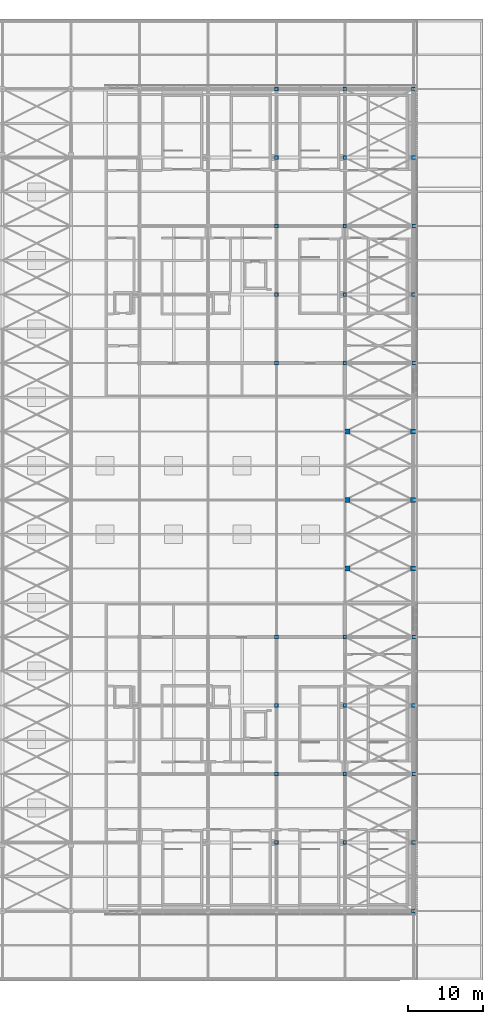
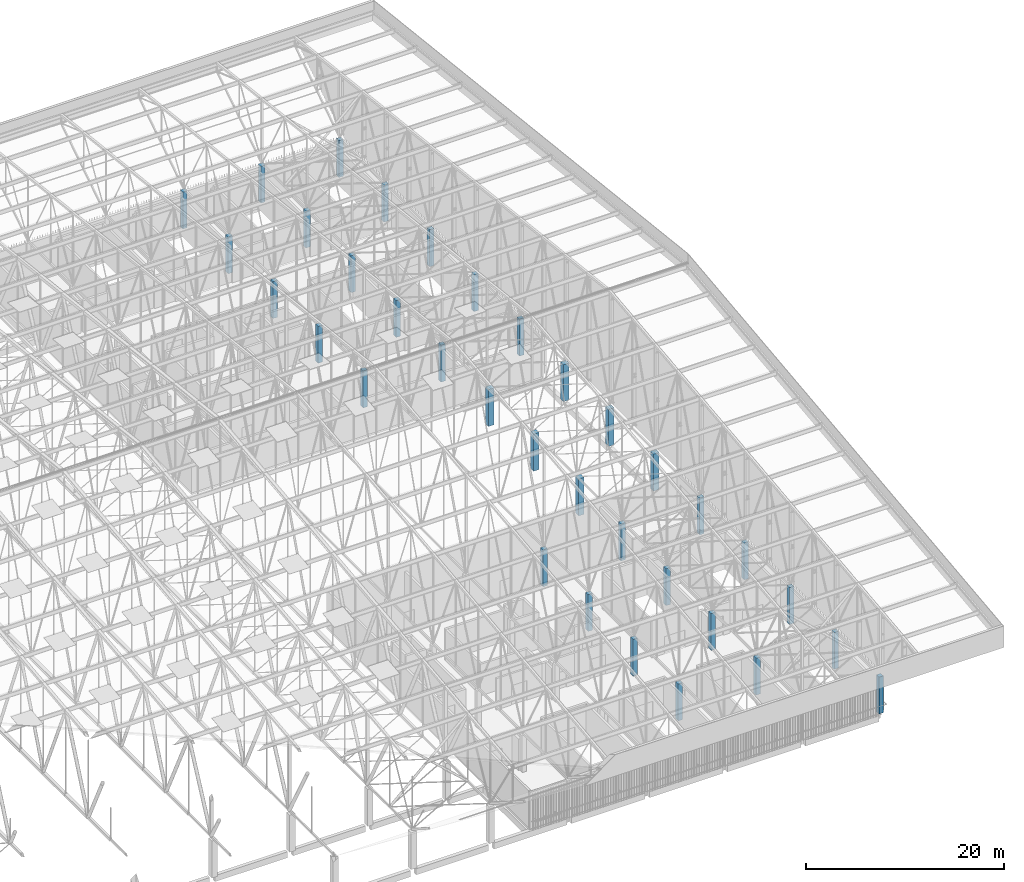
# One storey, part 2 of 500: 34 columns.
"""IFC4 building model written with IfcOpenShell, lengths in metres."""

from ifc_helpers import new_model, si_unit, direction, frame, origin, origin_2d, place, context, subcontext, project, spatial, rectangle, extrude, material, material_profile, profile_set, type_object, element, save


model = new_model("IFC4")

# Units and contexts
model_context = context("Model", 3, precision=1e-05, world=origin(), true_north=direction((0.0, 1.0)))
body_context = subcontext(model_context, "Body", "Model", "MODEL_VIEW")
ifc_project = project(units=[si_unit("LENGTHUNIT", "METRE"), si_unit("AREAUNIT", "SQUARE_METRE"), si_unit("VOLUMEUNIT", "CUBIC_METRE"), si_unit("PLANEANGLEUNIT", "RADIAN"), si_unit("MASSUNIT", "GRAM", prefix="KILO")], contexts=[model_context])

# Site, building, storey
site_placement = place(None, origin())
site = spatial("IfcSite", under=ifc_project, at=site_placement, CompositionType="ELEMENT")
building_placement = place(site_placement, origin())
building = spatial("IfcBuilding", under=site, at=building_placement, Name="Shirokan Park Arena", CompositionType="ELEMENT")
storey_placement = place(building_placement, frame((0.0, 0.0, 29.1201171875)))
storey = spatial("IfcBuildingStorey", under=building, at=storey_placement, Name="L06", CompositionType="ELEMENT", Elevation=29.1201171875)

# Columns
ifc_material = material(Name="Concrete C35", Category="concrete")
ifc_material_profile_1 = material_profile(ifc_material, rectangle(XDim=0.5, YDim=0.5, at=origin_2d()), Name="500x500")
ifc_profile_set_1 = profile_set([ifc_material_profile_1], Name="Concrete C35")
column_type_1 = type_object("IfcColumnType", Name="RC column 500x500", PredefinedType="COLUMN", material=ifc_profile_set_1)
for number, where, z_axis, x_axis, name in (
    (1, (127.39990234375, 9.10009765625, 0.0), (0.0, 0.0, 1.0), (1.0, 0.0, 0.0), "Column 15B L06"),
    (2, (127.39990234375, 18.199951171875, 0.0), (0.0, 0.0, 1.0), (1.0, 0.0, 0.0), "Column 15C L06"),
    (3, (127.39990234375, 27.300048828125, 0.0), (0.0, 0.0, 1.0), (1.0, 0.0, 0.0), "Column 15D L06"),
    (4, (127.39990234375, 36.39990234375, 0.0), (0.0, 0.0, 1.0), (1.0, 0.0, 0.0), "Column 15E L06"),
    (5, (127.39990234375, 72.800048828125, 0.0), (0.0, 0.0, 1.0), (1.0, 0.0, 0.0), "Column 15J L06"),
    (6, (127.39990234375, 81.89990234375, 0.0), (0.0, 0.0, 1.0), (1.0, 0.0, 0.0), "Column 15K L06"),
    (7, (127.39990234375, 91.0, 0.0), (0.0, 0.0, 1.0), (1.0, 0.0, 0.0), "Column 15L L06"),
    (8, (127.39990234375, 100.10009765625, 0.0), (0.0, 0.0, 1.0), (1.0, 0.0, 0.0), "Column 15M L06"),
    (9, (127.39990234375, 109.22509765625, 0.0), (0.0, 0.0, 1.0), (1.0, 0.0, 0.0), "Column 15N L06"),
    (10, (136.5, 9.10009765625, 0.0), (0.0, 0.0, 1.0), (1.0, 0.0, 0.0), "Column 16B L06"),
    (11, (136.5, 18.199951171875, 0.0), (0.0, 0.0, 1.0), (1.0, 0.0, 0.0), "Column 16C L06"),
    (12, (136.5, 27.300048828125, 0.0), (0.0, 0.0, 1.0), (1.0, 0.0, 0.0), "Column 16D L06"),
    (13, (136.5, 36.39990234375, 0.0), (0.0, 0.0, 1.0), (1.0, 0.0, 0.0), "Column 16E L06"),
    (14, (136.5, 72.800048828125, 0.0), (0.0, 0.0, 1.0), (1.0, 0.0, 0.0), "Column 16J L06"),
    (15, (136.5, 81.89990234375, 0.0), (0.0, 0.0, 1.0), (1.0, 0.0, 0.0), "Column 16K L06"),
    (16, (136.5, 91.0, 0.0), (0.0, 0.0, 1.0), (1.0, 0.0, 0.0), "Column 16L L06"),
    (17, (136.5, 100.10009765625, 0.0), (0.0, 0.0, 1.0), (1.0, 0.0, 0.0), "Column 16M L06"),
    (18, (136.5, 109.22509765625, 0.0), (0.0, 0.0, 1.0), (1.0, 0.0, 0.0), "Column 16N L06"),
    (19, (145.60009765625, 0.0, 0.0), (0.0, 0.0, 1.0), (1.0, 0.0, 0.0), "Column 17A L06"),
    (20, (145.625, 9.10009765625, 0.0), (0.0, 0.0, 1.0), (1.0, 0.0, 0.0), "Column 17B L06"),
    (21, (145.64990234375, 18.199951171875, 0.0), (0.0, 0.0, 1.0), (1.0, 0.0, 0.0), "Column 17C L06"),
    (22, (145.60009765625, 27.300048828125, 0.0), (0.0, 0.0, 1.0), (1.0, 0.0, 0.0), "Column 17D L06"),
    (23, (145.675048828125, 36.39990234375, 0.0), (0.0, 0.0, 1.0), (1.0, 0.0, 0.0), "Column 17E L06"),
    (24, (145.675048828125, 72.800048828125, 0.0), (0.0, 0.0, 1.0), (1.0, 0.0, 0.0), "Column 17J L06"),
    (25, (145.60009765625, 81.89990234375, 0.0), (0.0, 0.0, 1.0), (1.0, 0.0, 0.0), "Column 17K L06"),
    (26, (145.675048828125, 91.0, 0.0), (0.0, 0.0, 1.0), (1.0, 0.0, 0.0), "Column 17L L06"),
    (27, (145.625, 100.10009765625, 0.0), (0.0, 0.0, 1.0), (1.0, 0.0, 0.0), "Column 17M L06"),
    (28, (145.60009765625, 109.199951171875, 0.0), (0.0, 0.0, 1.0), (1.0, 0.0, 0.0), "Column 17N L06"),
):
    element("IfcColumn", number, at=place(storey_placement, frame(where, z_axis=z_axis, x_axis=x_axis)), inside=storey, type_object=column_type_1, Name=name, PredefinedType="COLUMN", context=body_context, shape_type="SweptSolid", body=[
        extrude(rectangle(XDim=0.5, YDim=0.5, at=origin_2d()), origin(), (0.0, 0.0, 1.0), 4.5498046875),
    ])
ifc_material_profile_2 = material_profile(ifc_material, rectangle(XDim=0.64990234375, YDim=0.64990234375, at=origin_2d()), Name="650x650")
ifc_profile_set_2 = profile_set([ifc_material_profile_2], Name="Concrete C35")
column_type_2 = type_object("IfcColumnType", Name="RC column 650x650", PredefinedType="COLUMN", material=ifc_profile_set_2)
for number, where, z_axis, x_axis, name in (
    (29, (136.824951171875, 45.5, 0.0), (0.0, 0.0, 1.0), (1.0, 0.0, 0.0), "Column 16F L06"),
    (30, (136.824951171875, 54.60009765625, 0.0), (0.0, 0.0, 1.0), (1.0, 0.0, 0.0), "Column 16G L06"),
    (31, (136.824951171875, 63.699951171875, 0.0), (0.0, 0.0, 1.0), (1.0, 0.0, 0.0), "Column 16H L06"),
    (32, (145.574951171875, 45.5, 0.0), (0.0, 0.0, 1.0), (1.0, 0.0, 0.0), "Column 17F L06"),
    (33, (145.574951171875, 54.60009765625, 0.0), (0.0, 0.0, 1.0), (1.0, 0.0, 0.0), "Column 17G L06"),
    (34, (145.574951171875, 63.699951171875, 0.0), (0.0, 0.0, 1.0), (1.0, 0.0, 0.0), "Column 17H L06"),
):
    element("IfcColumn", number, at=place(storey_placement, frame(where, z_axis=z_axis, x_axis=x_axis)), inside=storey, type_object=column_type_2, Name=name, PredefinedType="COLUMN", context=body_context, shape_type="SweptSolid", body=[
        extrude(rectangle(XDim=0.64990234375, YDim=0.64990234375, at=origin_2d()), origin(), (0.0, 0.0, 1.0), 4.5498046875),
    ])

save(model, "model.ifc")
